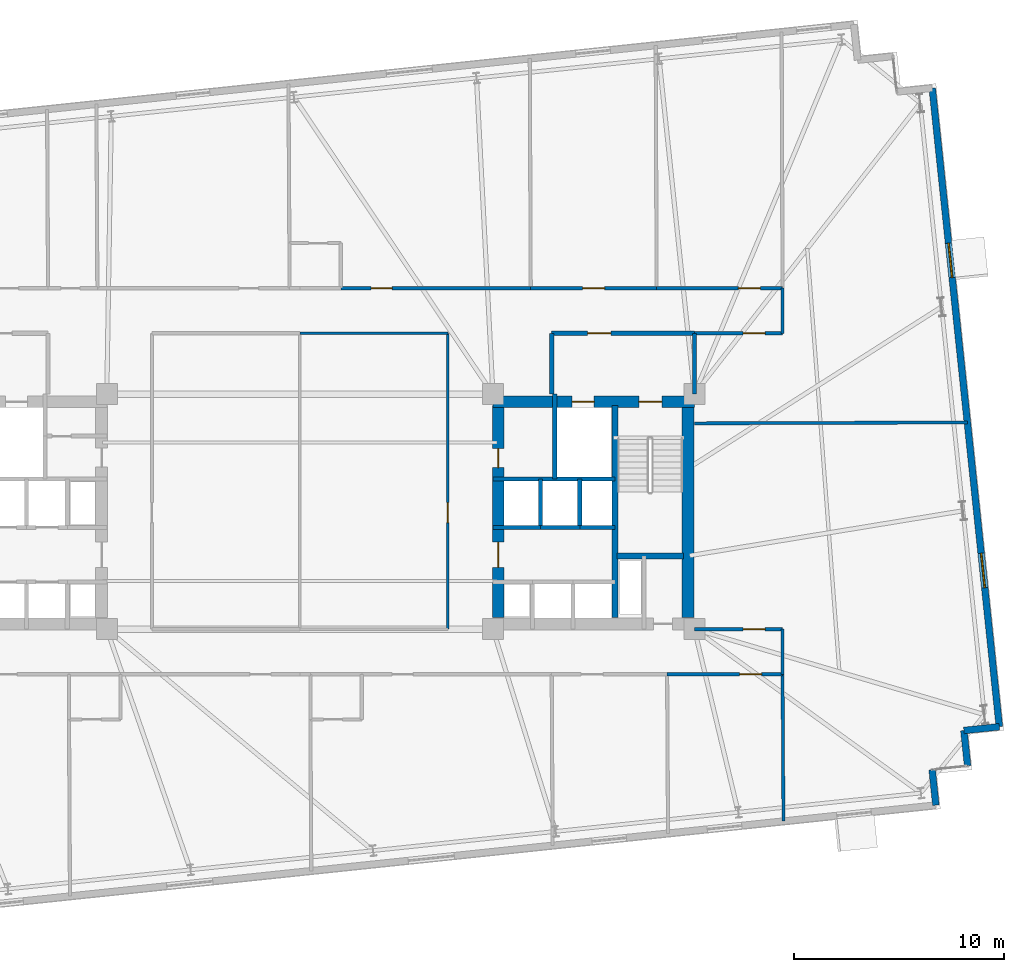
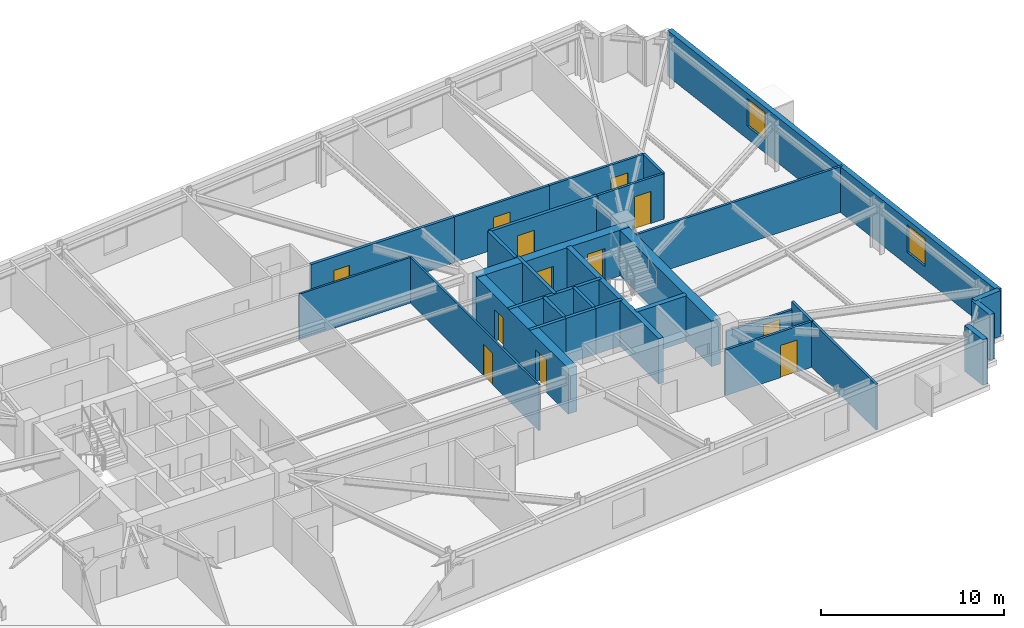
# One storey, part 14 of 17: 31 walls, 12 doors, 2 windows, 14 openings.
"""IFC4 building model written with IfcOpenShell, lengths in metres."""

from ifc_helpers import new_model, si_unit, direction, frame, frame_2d, origin, place, context, subcontext, project, spatial, rectangle, extrude, material, layer, layer_set, type_object, element, fill, save


model = new_model("IFC4")

# Units and contexts
model_context = context("Model", 3, precision=1e-05, world=origin(), true_north=direction((0.0, 1.0)))
body_context = subcontext(model_context, "Body", "Model", "MODEL_VIEW")
ifc_project = project(units=[si_unit("LENGTHUNIT", "METRE"), si_unit("AREAUNIT", "SQUARE_METRE"), si_unit("VOLUMEUNIT", "CUBIC_METRE"), si_unit("PLANEANGLEUNIT", "RADIAN"), si_unit("MASSUNIT", "GRAM", prefix="KILO")], contexts=[model_context])

# Site, building, storey
site_placement = place(None, origin())
site = spatial("IfcSite", under=ifc_project, at=site_placement, CompositionType="ELEMENT")
building_placement = place(site_placement, origin())
building = spatial("IfcBuilding", under=site, at=building_placement, Name="Qobustan Lattice House", CompositionType="ELEMENT")
storey_placement = place(building_placement, frame((0.0, 0.0, 105.800048828125)))
storey = spatial("IfcBuildingStorey", under=building, at=storey_placement, Name="L29", CompositionType="ELEMENT", Elevation=105.800048828125)

# Wall, openings, doors
ifc_material_1 = material(Name="Concrete C60/75", Category="concrete")
ifc_layer_1 = layer(ifc_material_1, 0.56005859375)
ifc_layer_set_1 = layer_set([ifc_layer_1], Name="Concrete C60/75")
wall_type_1 = type_object("IfcWallType", Name="WAL-CORE-600", PredefinedType="SHEAR", material=ifc_layer_set_1)
wall_1_placement = place(storey_placement, frame((9.199951171875, 5.239990234375, 0.0), z_axis=(0.0, 0.0, 1.0), x_axis=(1.0, 0.0, 0.0)))
wall_1 = element("IfcWall", 1, at=wall_1_placement, inside=storey, type_object=wall_type_1, Name="L29 split-core shear wall CE-N", PredefinedType="SHEAR", context=body_context, shape_type="SweptSolid", body=[
    extrude(rectangle(XDim=9.60009765625, YDim=0.56005859375, at=frame_2d((4.800048828125, 0.0))), origin(), (0.0, 0.0, 1.0), 3.044921875),
])
opening_1_placement = place(wall_1_placement, frame((6.949951171875, 0.0, 0.0)))
opening_1 = element("IfcOpeningElement", 2, at=opening_1_placement, cuts=wall_1, Name="Opening SD-01", PredefinedType="OPENING", context=body_context, shape_type="SweptSolid", body=[
    extrude(rectangle(XDim=1.10009765625, YDim=2.14990234375, at=frame_2d((0.550048828125, 1.074951171875))), frame((0.0, 0.2900390625, 0.0), z_axis=(0.0, -1.0, 0.0), x_axis=(1.0, 0.0, 0.0)), (0.0, 0.0, 1.0), 0.580078125),
])
opening_2_placement = place(wall_1_placement, frame((3.77490234375, 0.0, 0.0)))
opening_2 = element("IfcOpeningElement", 3, at=opening_2_placement, cuts=wall_1, Name="Opening LD-01", PredefinedType="OPENING", context=body_context, shape_type="SweptSolid", body=[
    extrude(rectangle(XDim=1.050048828125, YDim=2.10009765625, at=frame_2d((0.52490234375, 1.050048828125))), frame((0.0, 0.2900390625, 0.0), z_axis=(0.0, -1.0, 0.0), x_axis=(1.0, 0.0, 0.0)), (0.0, 0.0, 1.0), 0.580078125),
])
ifc_material_2 = material(Name="Persian walnut timber and steel frame door", Category="steel")
door_type_1 = type_object("IfcDoorType", Name="DOR-LIFT-LD-1050x2100", OperationType="NOTDEFINED", PredefinedType="DOOR", material=ifc_material_2)
door_1_placement = place(opening_2_placement, origin())
door_1 = element("IfcDoor", 4, at=door_1_placement, inside=storey, type_object=door_type_1, Name="L29 firefighting lift FF-E landing door", OperationType="DOUBLE_DOOR_SLIDING", OverallHeight=2.10009765625, OverallWidth=1.050048828125, PredefinedType="DOOR", context=body_context, shape_type="SweptSolid", body=[
    extrude(rectangle(XDim=1.050048828125, YDim=2.10009765625, at=frame_2d((0.52490234375, 1.050048828125))), frame((0.0, 0.02490234375, 0.0), z_axis=(0.0, -1.0, 0.0), x_axis=(1.0, 0.0, 0.0)), (0.0, 0.0, 1.0), 0.050048828125),
])
fill(opening_2, door_1)
ifc_material_3 = material(Name="Persian walnut timber and steel frame door", Category="steel")
door_type_2 = type_object("IfcDoorType", Name="DOR-STAIR-FD-1100x2150", OperationType="NOTDEFINED", PredefinedType="DOOR", material=ifc_material_3)
door_2_placement = place(opening_1_placement, origin())
door_2 = element("IfcDoor", 5, at=door_2_placement, inside=storey, type_object=door_type_2, Name="L29 exit stair ST-E1 fire door", OperationType="SINGLE_SWING_RIGHT", OverallHeight=2.14990234375, OverallWidth=1.10009765625, PredefinedType="DOOR", context=body_context, shape_type="SweptSolid", body=[
    extrude(rectangle(XDim=1.10009765625, YDim=2.14990234375, at=frame_2d((0.550048828125, 1.074951171875))), frame((0.0, 0.02490234375, 0.0), z_axis=(0.0, -1.0, 0.0), x_axis=(1.0, 0.0, 0.0)), (0.0, 0.0, 1.0), 0.050048828125),
])
fill(opening_1, door_2)

wall_2_placement = place(storey_placement, frame((9.449951171875, -5.050048828125, 0.0), z_axis=(0.0, 0.0, 1.0), x_axis=(0.0, 1.0, 0.0)))
wall_2 = element("IfcWall", 6, at=wall_2_placement, inside=storey, type_object=wall_type_1, Name="L29 split-core shear wall CE-W", PredefinedType="SHEAR", context=body_context, shape_type="SweptSolid", body=[
    extrude(rectangle(XDim=10.10009765625, YDim=0.56005859375, at=frame_2d((5.050048828125, 0.0))), origin(), (0.0, 0.0, 1.0), 3.044921875),
])
opening_3_placement = place(wall_2_placement, frame((7.14990234375, 0.0, 0.0)))
opening_3 = element("IfcOpeningElement", 7, at=opening_3_placement, cuts=wall_2, Name="Opening RD-01", PredefinedType="OPENING", context=body_context, shape_type="SweptSolid", body=[
    extrude(rectangle(XDim=0.89990234375, YDim=2.10009765625, at=frame_2d((0.449951171875, 1.050048828125))), frame((0.0, 0.2900390625, 0.0), z_axis=(0.0, -1.0, 0.0), x_axis=(1.0, 0.0, 0.0)), (0.0, 0.0, 1.0), 0.580078125),
])
opening_4_placement = place(wall_2_placement, frame((2.39990234375, 0.0, 0.0)))
opening_4 = element("IfcOpeningElement", 8, at=opening_4_placement, cuts=wall_2, Name="Opening FD-01", PredefinedType="OPENING", context=body_context, shape_type="SweptSolid", body=[
    extrude(rectangle(XDim=1.199951171875, YDim=2.14990234375, at=frame_2d((0.60009765625, 1.074951171875))), frame((0.0, 0.2900390625, 0.0), z_axis=(0.0, -1.0, 0.0), x_axis=(1.0, 0.0, 0.0)), (0.0, 0.0, 1.0), 0.580078125),
])
ifc_material_4 = material(Name="Persian walnut timber and steel frame door", Category="steel")
door_type_3 = type_object("IfcDoorType", Name="DOR-LOBBY-FD-1200x2150", OperationType="NOTDEFINED", PredefinedType="DOOR", material=ifc_material_4)
door_3_placement = place(opening_4_placement, origin())
door_3 = element("IfcDoor", 9, at=door_3_placement, inside=storey, type_object=door_type_3, Name="L29 East passenger lift lobby fire door", OperationType="SINGLE_SWING_LEFT", OverallHeight=2.14990234375, OverallWidth=1.199951171875, PredefinedType="DOOR", context=body_context, shape_type="SweptSolid", body=[
    extrude(rectangle(XDim=1.199951171875, YDim=2.14990234375, at=frame_2d((0.60009765625, 1.074951171875))), frame((0.0, 0.02490234375, 0.0), z_axis=(0.0, -1.0, 0.0), x_axis=(1.0, 0.0, 0.0)), (0.0, 0.0, 1.0), 0.050048828125),
])
fill(opening_4, door_3)
ifc_material_5 = material(Name="Persian walnut timber and steel frame door", Category="steel")
door_type_4 = type_object("IfcDoorType", Name="DOR-RISER-FD-900x2100", OperationType="NOTDEFINED", PredefinedType="DOOR", material=ifc_material_5)
door_4_placement = place(opening_3_placement, origin())
door_4 = element("IfcDoor", 10, at=door_4_placement, inside=storey, type_object=door_type_4, Name="L29 Housekeeping linen store fire door", OperationType="SINGLE_SWING_RIGHT", OverallHeight=2.10009765625, OverallWidth=0.89990234375, PredefinedType="DOOR", context=body_context, shape_type="SweptSolid", body=[
    extrude(rectangle(XDim=0.89990234375, YDim=2.10009765625, at=frame_2d((0.449951171875, 1.050048828125))), frame((0.0, 0.02490234375, 0.0), z_axis=(0.0, -1.0, 0.0), x_axis=(1.0, 0.0, 0.0)), (0.0, 0.0, 1.0), 0.050048828125),
])
fill(opening_3, door_4)

# Walls
wall_3_placement = place(storey_placement, frame((18.489990234375, -5.050048828125, 0.0), z_axis=(0.0, 0.0, 1.0), x_axis=(0.0, 1.0, 0.0)))
element("IfcWall", 11, at=wall_3_placement, inside=storey, type_object=wall_type_1, Name="L29 split-core shear wall CE-E", PredefinedType="SHEAR", context=body_context, shape_type="SweptSolid", body=[
    extrude(rectangle(XDim=10.10009765625, YDim=0.56005859375, at=frame_2d((5.050048828125, 0.0))), origin(), (0.0, 0.0, 1.0), 3.044921875),
])
ifc_material_6 = material(Name="Concrete C50/60", Category="concrete")
ifc_layer_2 = layer(ifc_material_6, 0.280029296875)
ifc_layer_set_2 = layer_set([ifc_layer_2], Name="Concrete C50/60")
wall_type_2 = type_object("IfcWallType", Name="WAL-CORE-SPINE-280", PredefinedType="SHEAR", material=ifc_layer_set_2)
wall_4_placement = place(storey_placement, frame((15.02001953125, -5.050048828125, 0.0), z_axis=(0.0, 0.0, 1.0), x_axis=(0.0, 1.0, 0.0)))
element("IfcWall", 12, at=wall_4_placement, inside=storey, type_object=wall_type_2, Name="L29 split-core shear wall CE-M", PredefinedType="SHEAR", context=body_context, shape_type="SweptSolid", body=[
    extrude(rectangle(XDim=10.10009765625, YDim=0.300048828125, at=frame_2d((5.050048828125, 0.0))), origin(), (0.0, 0.0, 1.0), 3.044921875),
])
wall_5_placement = place(storey_placement, frame((15.10009765625, -2.110107421875, 0.0), z_axis=(0.0, 0.0, 1.0), x_axis=(1.0, 0.0, 0.0)))
element("IfcWall", 13, at=wall_5_placement, inside=storey, type_object=wall_type_2, Name="L29 split-core shear wall CE-ST", PredefinedType="SHEAR", context=body_context, shape_type="SweptSolid", body=[
    extrude(rectangle(XDim=3.179931640625, YDim=0.300048828125, at=frame_2d((1.58984375, 0.0))), origin(), (0.0, 0.0, 1.0), 3.044921875),
])

# Wall, openings, windows
ifc_material_7 = material(Name="Precast concrete C40/50", Category="concrete")
ifc_layer_3 = layer(ifc_material_7, 0.320068359375)
ifc_layer_set_3 = layer_set([ifc_layer_3], Name="Precast concrete C40/50")
wall_type_3 = type_object("IfcWallType", Name="WAL-EXT-STONE-320", PredefinedType="SOLIDWALL", material=ifc_layer_set_3)
wall_6_placement = place(storey_placement, frame((30.134765625, 20.183349609375, 0.0), z_axis=(0.0, 0.0, 1.0), x_axis=(0.104525716865, -0.994522184023, 0.0)))
wall_6 = element("IfcWall", 14, at=wall_6_placement, inside=storey, type_object=wall_type_3, Name="L29 exterior limestone-clad wall 15", PredefinedType="SOLIDWALL", context=body_context, shape_type="SweptSolid", body=[
    extrude(rectangle(XDim=30.60009765625, YDim=0.320068359375, at=frame_2d((15.300048828125, 0.0))), origin(), (0.0, 0.0, 1.0), 3.044921875),
])
opening_5_placement = place(wall_6_placement, frame((7.42578125, 0.0, 0.85009765625)))
opening_5 = element("IfcOpeningElement", 15, at=opening_5_placement, cuts=wall_6, Name="Opening WN-09", PredefinedType="OPENING", context=body_context, shape_type="SweptSolid", body=[
    extrude(rectangle(XDim=1.64990234375, YDim=1.85009765625, at=frame_2d((0.824951171875, 0.925048828125))), frame((0.0, 0.169921875, 0.0), z_axis=(0.0, -1.0, 0.0), x_axis=(1.0, 0.0, 0.0)), (0.0, 0.0, 1.0), 0.340087890625),
])
opening_6_placement = place(wall_6_placement, frame((22.28515625, 0.0, 0.85009765625)))
opening_6 = element("IfcOpeningElement", 16, at=opening_6_placement, cuts=wall_6, Name="Opening WN-09", PredefinedType="OPENING", context=body_context, shape_type="SweptSolid", body=[
    extrude(rectangle(XDim=1.64990234375, YDim=1.85009765625, at=frame_2d((0.824951171875, 0.925048828125))), frame((0.0, 0.169921875, 0.0), z_axis=(0.0, -1.0, 0.0), x_axis=(1.0, 0.0, 0.0)), (0.0, 0.0, 1.0), 0.340087890625),
])
ifc_material_8 = material(Name="Double-glazed low-E aluminium window", Category="aluminium")
window_type = type_object("IfcWindowType", Name="WIN-STU-1650x1850", PartitioningType="SINGLE_PANEL", PredefinedType="WINDOW", material=ifc_material_8)
window_1_placement = place(opening_5_placement, origin())
window_1 = element("IfcWindow", 17, at=window_1_placement, inside=storey, type_object=window_type, Name="L29 Collaborative tutorial room window", OverallHeight=1.85009765625, OverallWidth=1.64990234375, PartitioningType="SINGLE_PANEL", PredefinedType="WINDOW", context=body_context, shape_type="SweptSolid", body=[
    extrude(rectangle(XDim=1.64990234375, YDim=1.85009765625, at=frame_2d((0.824951171875, 0.925048828125))), frame((0.0, 0.030029296875, 0.0), z_axis=(0.0, -1.0, 0.0), x_axis=(1.0, 0.0, 0.0)), (0.0, 0.0, 1.0), 0.06005859375),
])
fill(opening_5, window_1)
window_2_placement = place(opening_6_placement, origin())
window_2 = element("IfcWindow", 18, at=window_2_placement, inside=storey, type_object=window_type, Name="L29 Fellows reading room window", OverallHeight=1.85009765625, OverallWidth=1.64990234375, PartitioningType="SINGLE_PANEL", PredefinedType="WINDOW", context=body_context, shape_type="SweptSolid", body=[
    extrude(rectangle(XDim=1.64990234375, YDim=1.85009765625, at=frame_2d((0.824951171875, 0.925048828125))), frame((0.0, 0.030029296875, 0.0), z_axis=(0.0, -1.0, 0.0), x_axis=(1.0, 0.0, 0.0)), (0.0, 0.0, 1.0), 0.06005859375),
])
fill(opening_6, window_2)

# Walls
for number, where, z_axis, x_axis, name in (
    (19, (33.333251953125, -10.2490234375, 0.0), (0.0, 0.0, 1.0), (-0.994519608382, -0.104550220202, 0.0), "L29 exterior limestone-clad wall 16"),
    (20, (31.642578125, -10.4267578125, 0.0), (0.0, 0.0, 1.0), (0.104550220202, -0.994519608382, 0.0), "L29 exterior limestone-clad wall 17"),
):
    element("IfcWall", number, at=place(storey_placement, frame(where, z_axis=z_axis, x_axis=x_axis)), inside=storey, type_object=wall_type_3, Name=name, PredefinedType="SOLIDWALL", context=body_context, shape_type="SweptSolid", body=[
        extrude(rectangle(XDim=1.699951171875, YDim=0.320068359375, at=frame_2d((0.85009765625, 0.0))), origin(), (0.0, 0.0, 1.0), 3.044921875),
    ])
wall_7_placement = place(storey_placement, frame((30.129638671875, -12.295166015625, 0.0), z_axis=(0.0, 0.0, 1.0), x_axis=(0.104565154801, -0.994518038248, 0.0)))
element("IfcWall", 21, at=wall_7_placement, inside=storey, type_object=wall_type_3, Name="L29 exterior limestone-clad wall 19", PredefinedType="SOLIDWALL", context=body_context, shape_type="SweptSolid", body=[
    extrude(rectangle(XDim=1.69970703125, YDim=0.320068359375, at=frame_2d((0.849853515625, 0.0))), origin(), (0.0, 0.0, 1.0), 3.044921875),
])

# Wall, opening, door
ifc_material_9 = material(Name="Gypsum fireboard acoustic partition", Category="gypsum")
ifc_layer_4 = layer(ifc_material_9, 0.179931640625)
ifc_layer_set_4 = layer_set([ifc_layer_4], Name="Gypsum fireboard acoustic partition")
wall_type_4 = type_object("IfcWallType", Name="WAL-FIRE-180", PredefinedType="PARTITIONING", material=ifc_layer_set_4)
wall_8_placement = place(storey_placement, frame((1.949951171875, 10.64990234375, 0.0), z_axis=(0.0, 0.0, 1.0), x_axis=(1.0, 0.0, 0.0)))
wall_8 = element("IfcWall", 22, at=wall_8_placement, inside=storey, type_object=wall_type_4, Name="L29 interior partition 47", PredefinedType="PARTITIONING", context=body_context, shape_type="SweptSolid", body=[
    extrude(rectangle(XDim=9.050048828125, YDim=0.179931640625, at=frame_2d((4.52490234375, 0.0))), origin(), (0.0, 0.0, 1.0), 3.044921875),
])
opening_7_placement = place(wall_8_placement, frame((1.44140625, 0.0, 0.0)))
opening_7 = element("IfcOpeningElement", 23, at=opening_7_placement, cuts=wall_8, Name="Opening FD-02", PredefinedType="OPENING", context=body_context, shape_type="SweptSolid", body=[
    extrude(rectangle(XDim=1.0, YDim=2.14990234375, at=frame_2d((0.5, 1.074951171875))), frame((0.0, 0.099853515625, 0.0), z_axis=(0.0, -1.0, 0.0), x_axis=(1.0, 0.0, 0.0)), (0.0, 0.0, 1.0), 0.199951171875),
])
ifc_material_10 = material(Name="Persian walnut timber and steel frame door", Category="steel")
door_type_5 = type_object("IfcDoorType", Name="DOR-UNIT-FD-1000x2150", OperationType="NOTDEFINED", PredefinedType="DOOR", material=ifc_material_10)
door_5_placement = place(opening_7_placement, origin())
door_5 = element("IfcDoor", 24, at=door_5_placement, inside=storey, type_object=door_type_5, Name="L29 North-east floor corridor to Kitchenette and studio apartment L29-N3 door", OperationType="SINGLE_SWING_RIGHT", OverallHeight=2.14990234375, OverallWidth=1.0, PredefinedType="DOOR", context=body_context, shape_type="SweptSolid", body=[
    extrude(rectangle(XDim=1.0, YDim=2.14990234375, at=frame_2d((0.5, 1.074951171875))), frame((0.0, 0.02490234375, 0.0), z_axis=(0.0, -1.0, 0.0), x_axis=(1.0, 0.0, 0.0)), (0.0, 0.0, 1.0), 0.050048828125),
])
fill(opening_7, door_5)

# Wall
ifc_material_11 = material(Name="Lightweight acoustic stud partition", Category="gypsum")
ifc_layer_5 = layer(ifc_material_11, 0.125)
ifc_layer_set_5 = layer_set([ifc_layer_5], Name="Lightweight acoustic stud partition")
wall_type_5 = type_object("IfcWallType", Name="WAL-PART-125", PredefinedType="PARTITIONING", material=ifc_layer_set_5)
wall_9_placement = place(storey_placement, frame((7.050048828125, 8.5, 0.0), z_axis=(0.0, 0.0, 1.0), x_axis=(-1.0, 0.0, 0.0)))
element("IfcWall", 25, at=wall_9_placement, inside=storey, type_object=wall_type_5, Name="L29 interior partition 51", PredefinedType="PARTITIONING", context=body_context, shape_type="SweptSolid", body=[
    extrude(rectangle(XDim=7.050048828125, YDim=0.125, at=frame_2d((3.52490234375, 0.0))), origin(), (0.0, 0.0, 1.0), 3.044921875),
])

# Wall, opening, door
wall_10_placement = place(storey_placement, frame((7.050048828125, -5.60009765625, 0.0), z_axis=(0.0, 0.0, 1.0), x_axis=(0.0, 1.0, 0.0)))
wall_10 = element("IfcWall", 26, at=wall_10_placement, inside=storey, type_object=wall_type_5, Name="L29 interior partition 68", PredefinedType="PARTITIONING", context=body_context, shape_type="SweptSolid", body=[
    extrude(rectangle(XDim=14.10009765625, YDim=0.125, at=frame_2d((7.050048828125, 0.0))), origin(), (0.0, 0.0, 1.0), 3.044921875),
])
opening_8_placement = place(wall_10_placement, frame((5.076171875, 0.0, 0.0)))
opening_8 = element("IfcOpeningElement", 27, at=opening_8_placement, cuts=wall_10, Name="Opening ID-01", PredefinedType="OPENING", context=body_context, shape_type="SweptSolid", body=[
    extrude(rectangle(XDim=0.949951171875, YDim=2.10009765625, at=frame_2d((0.47509765625, 1.050048828125))), frame((0.0, 0.072509765625, 0.0), z_axis=(0.0, -1.0, 0.0), x_axis=(1.0, 0.0, 0.0)), (0.0, 0.0, 1.0), 0.14501953125),
])
ifc_material_12 = material(Name="Persian walnut timber and steel frame door", Category="steel")
door_type_6 = type_object("IfcDoorType", Name="DOR-ROOM-950x2100", OperationType="NOTDEFINED", PredefinedType="DOOR", material=ifc_material_12)
door_6_placement = place(opening_8_placement, origin())
door_6 = element("IfcDoor", 28, at=door_6_placement, inside=storey, type_object=door_type_6, Name="L29 East floor link corridor to Focus pod suite door", OperationType="SINGLE_SWING_RIGHT", OverallHeight=2.10009765625, OverallWidth=0.949951171875, PredefinedType="DOOR", context=body_context, shape_type="SweptSolid", body=[
    extrude(rectangle(XDim=0.949951171875, YDim=2.10009765625, at=frame_2d((0.47509765625, 1.050048828125))), frame((0.0, 0.02490234375, 0.0), z_axis=(0.0, -1.0, 0.0), x_axis=(1.0, 0.0, 0.0)), (0.0, 0.0, 1.0), 0.050048828125),
])
fill(opening_8, door_6)

ifc_material_13 = material(Name="Acoustic twin-stud gypsum partition", Category="gypsum")
ifc_layer_6 = layer(ifc_material_13, 0.14990234375)
ifc_layer_set_6 = layer_set([ifc_layer_6], Name="Acoustic twin-stud gypsum partition")
wall_type_6 = type_object("IfcWallType", Name="WAL-PART-150", PredefinedType="PARTITIONING", material=ifc_layer_set_6)
wall_11_placement = place(storey_placement, frame((23.0, 8.5, 0.0), z_axis=(0.0, 0.0, 1.0), x_axis=(-1.0, 0.0, 0.0)))
wall_11 = element("IfcWall", 29, at=wall_11_placement, inside=storey, type_object=wall_type_6, Name="L29 interior partition 45", PredefinedType="PARTITIONING", context=body_context, shape_type="SweptSolid", body=[
    extrude(rectangle(XDim=4.199951171875, YDim=0.14990234375, at=frame_2d((2.10009765625, 0.0))), origin(), (0.0, 0.0, 1.0), 3.044921875),
])
opening_9_placement = place(wall_11_placement, frame((0.82861328125, 0.0, 0.0)))
opening_9 = element("IfcOpeningElement", 30, at=opening_9_placement, cuts=wall_11, Name="Opening ID-02", PredefinedType="OPENING", context=body_context, shape_type="SweptSolid", body=[
    extrude(rectangle(XDim=1.050048828125, YDim=2.14990234375, at=frame_2d((0.52490234375, 1.074951171875))), frame((0.0, 0.0849609375, 0.0), z_axis=(0.0, -1.0, 0.0), x_axis=(1.0, 0.0, 0.0)), (0.0, 0.0, 1.0), 0.169921875),
])
ifc_material_14 = material(Name="Persian walnut timber and steel frame door", Category="steel")
door_type_7 = type_object("IfcDoorType", Name="DOR-STUDY-1050x2150", OperationType="NOTDEFINED", PredefinedType="DOOR", material=ifc_material_14)
door_7_placement = place(opening_9_placement, origin())
door_7 = element("IfcDoor", 31, at=door_7_placement, inside=storey, type_object=door_type_7, Name="L29 North-east floor corridor to Collaborative tutorial room door", OperationType="SINGLE_SWING_LEFT", OverallHeight=2.14990234375, OverallWidth=1.050048828125, PredefinedType="DOOR", context=body_context, shape_type="SweptSolid", body=[
    extrude(rectangle(XDim=1.050048828125, YDim=2.14990234375, at=frame_2d((0.52490234375, 1.074951171875))), frame((0.0, 0.02490234375, 0.0), z_axis=(0.0, -1.0, 0.0), x_axis=(1.0, 0.0, 0.0)), (0.0, 0.0, 1.0), 0.050048828125),
])
fill(opening_9, door_7)

# Wall
wall_12_placement = place(storey_placement, frame((23.0, 10.64990234375, 0.0), z_axis=(0.0, 0.0, 1.0), x_axis=(0.0, -1.0, 0.0)))
element("IfcWall", 32, at=wall_12_placement, inside=storey, type_object=wall_type_6, Name="L29 interior partition 46", PredefinedType="PARTITIONING", context=body_context, shape_type="SweptSolid", body=[
    extrude(rectangle(XDim=2.14990234375, YDim=0.14990234375, at=frame_2d((1.074951171875, 0.0))), origin(), (0.0, 0.0, 1.0), 3.044921875),
])

# Wall, opening, door
wall_13_placement = place(storey_placement, frame((11.0, 10.64990234375, 0.0), z_axis=(0.0, 0.0, 1.0), x_axis=(1.0, 0.0, 0.0)))
wall_13 = element("IfcWall", 33, at=wall_13_placement, inside=storey, type_object=wall_type_6, Name="L29 interior partition 49", PredefinedType="PARTITIONING", context=body_context, shape_type="SweptSolid", body=[
    extrude(rectangle(XDim=6.0, YDim=0.14990234375, at=frame_2d((3.0, 0.0))), origin(), (0.0, 0.0, 1.0), 3.044921875),
])
opening_10_placement = place(wall_13_placement, frame((2.47509765625, 0.0, 0.0)))
opening_10 = element("IfcOpeningElement", 34, at=opening_10_placement, cuts=wall_13, Name="Opening ID-02", PredefinedType="OPENING", context=body_context, shape_type="SweptSolid", body=[
    extrude(rectangle(XDim=1.050048828125, YDim=2.14990234375, at=frame_2d((0.52490234375, 1.074951171875))), frame((0.0, 0.0849609375, 0.0), z_axis=(0.0, -1.0, 0.0), x_axis=(1.0, 0.0, 0.0)), (0.0, 0.0, 1.0), 0.169921875),
])
door_8_placement = place(opening_10_placement, origin())
door_8 = element("IfcDoor", 35, at=door_8_placement, inside=storey, type_object=door_type_7, Name="L29 North-east floor corridor to Focus study room N4A door", OperationType="SINGLE_SWING_LEFT", OverallHeight=2.14990234375, OverallWidth=1.050048828125, PredefinedType="DOOR", context=body_context, shape_type="SweptSolid", body=[
    extrude(rectangle(XDim=1.050048828125, YDim=2.14990234375, at=frame_2d((0.52490234375, 1.074951171875))), frame((0.0, 0.02490234375, 0.0), z_axis=(0.0, -1.0, 0.0), x_axis=(1.0, 0.0, 0.0)), (0.0, 0.0, 1.0), 0.050048828125),
])
fill(opening_10, door_8)

wall_14_placement = place(storey_placement, frame((17.0, 10.64990234375, 0.0), z_axis=(0.0, 0.0, 1.0), x_axis=(1.0, 0.0, 0.0)))
wall_14 = element("IfcWall", 36, at=wall_14_placement, inside=storey, type_object=wall_type_6, Name="L29 interior partition 50", PredefinedType="PARTITIONING", context=body_context, shape_type="SweptSolid", body=[
    extrude(rectangle(XDim=6.0, YDim=0.14990234375, at=frame_2d((3.0, 0.0))), origin(), (0.0, 0.0, 1.0), 3.044921875),
])
opening_11_placement = place(wall_14_placement, frame((3.896240234375, 0.0, 0.0)))
opening_11 = element("IfcOpeningElement", 37, at=opening_11_placement, cuts=wall_14, Name="Opening ID-02", PredefinedType="OPENING", context=body_context, shape_type="SweptSolid", body=[
    extrude(rectangle(XDim=1.050048828125, YDim=2.14990234375, at=frame_2d((0.52490234375, 1.074951171875))), frame((0.0, 0.0849609375, 0.0), z_axis=(0.0, -1.0, 0.0), x_axis=(1.0, 0.0, 0.0)), (0.0, 0.0, 1.0), 0.169921875),
])
door_9_placement = place(opening_11_placement, origin())
door_9 = element("IfcDoor", 38, at=door_9_placement, inside=storey, type_object=door_type_7, Name="L29 North-east floor corridor to Focus study room N4B door", OperationType="SINGLE_SWING_RIGHT", OverallHeight=2.14990234375, OverallWidth=1.050048828125, PredefinedType="DOOR", context=body_context, shape_type="SweptSolid", body=[
    extrude(rectangle(XDim=1.050048828125, YDim=2.14990234375, at=frame_2d((0.52490234375, 1.074951171875))), frame((0.0, 0.02490234375, 0.0), z_axis=(0.0, -1.0, 0.0), x_axis=(1.0, 0.0, 0.0)), (0.0, 0.0, 1.0), 0.050048828125),
])
fill(opening_11, door_9)

wall_15_placement = place(storey_placement, frame((18.800048828125, -5.60009765625, 0.0), z_axis=(0.0, 0.0, 1.0), x_axis=(1.0, 0.0, 0.0)))
wall_15 = element("IfcWall", 39, at=wall_15_placement, inside=storey, type_object=wall_type_6, Name="L29 interior partition 59", PredefinedType="PARTITIONING", context=body_context, shape_type="SweptSolid", body=[
    extrude(rectangle(XDim=4.199951171875, YDim=0.14990234375, at=frame_2d((2.10009765625, 0.0))), origin(), (0.0, 0.0, 1.0), 2.530029296875),
])
opening_12_placement = place(wall_15_placement, frame((2.3212890625, 0.0, 0.0)))
opening_12 = element("IfcOpeningElement", 40, at=opening_12_placement, cuts=wall_15, Name="Opening ID-02", PredefinedType="OPENING", context=body_context, shape_type="SweptSolid", body=[
    extrude(rectangle(XDim=1.050048828125, YDim=2.14990234375, at=frame_2d((0.52490234375, 1.074951171875))), frame((0.0, 0.0849609375, 0.0), z_axis=(0.0, -1.0, 0.0), x_axis=(1.0, 0.0, 0.0)), (0.0, 0.0, 1.0), 0.169921875),
])
door_10_placement = place(opening_12_placement, origin())
door_10 = element("IfcDoor", 41, at=door_10_placement, inside=storey, type_object=door_type_7, Name="L29 South-east floor corridor to Fellows reading room door", OperationType="SINGLE_SWING_LEFT", OverallHeight=2.14990234375, OverallWidth=1.050048828125, PredefinedType="DOOR", context=body_context, shape_type="SweptSolid", body=[
    extrude(rectangle(XDim=1.050048828125, YDim=2.14990234375, at=frame_2d((0.52490234375, 1.074951171875))), frame((0.0, 0.02490234375, 0.0), z_axis=(0.0, -1.0, 0.0), x_axis=(1.0, 0.0, 0.0)), (0.0, 0.0, 1.0), 0.050048828125),
])
fill(opening_12, door_10)

# Wall
wall_16_placement = place(storey_placement, frame((23.0, -5.60009765625, 0.0), z_axis=(0.0, 0.0, 1.0), x_axis=(0.0, -1.0, 0.0)))
element("IfcWall", 42, at=wall_16_placement, inside=storey, type_object=wall_type_6, Name="L29 interior partition 60", PredefinedType="PARTITIONING", context=body_context, shape_type="SweptSolid", body=[
    extrude(rectangle(XDim=2.14990234375, YDim=0.14990234375, at=frame_2d((1.074951171875, 0.0))), origin(), (0.0, 0.0, 1.0), 3.044921875),
])

# Wall, opening, door
wall_17_placement = place(storey_placement, frame((23.0, -7.75, 0.0), z_axis=(0.0, 0.0, 1.0), x_axis=(-1.0, 0.0, 0.0)))
wall_17 = element("IfcWall", 43, at=wall_17_placement, inside=storey, type_object=wall_type_6, Name="L29 interior partition 65", PredefinedType="PARTITIONING", context=body_context, shape_type="SweptSolid", body=[
    extrude(rectangle(XDim=5.5, YDim=0.14990234375, at=frame_2d((2.75, 0.0))), origin(), (0.0, 0.0, 1.0), 3.044921875),
])
opening_13_placement = place(wall_17_placement, frame((0.9912109375, 0.0, 0.0)))
opening_13 = element("IfcOpeningElement", 44, at=opening_13_placement, cuts=wall_17, Name="Opening ID-02", PredefinedType="OPENING", context=body_context, shape_type="SweptSolid", body=[
    extrude(rectangle(XDim=1.050048828125, YDim=2.14990234375, at=frame_2d((0.52490234375, 1.074951171875))), frame((0.0, 0.0849609375, 0.0), z_axis=(0.0, -1.0, 0.0), x_axis=(1.0, 0.0, 0.0)), (0.0, 0.0, 1.0), 0.169921875),
])
door_11_placement = place(opening_13_placement, origin())
door_11 = element("IfcDoor", 45, at=door_11_placement, inside=storey, type_object=door_type_7, Name="L29 South-east floor corridor to Academic seminar room door", OperationType="SINGLE_SWING_RIGHT", OverallHeight=2.14990234375, OverallWidth=1.050048828125, PredefinedType="DOOR", context=body_context, shape_type="SweptSolid", body=[
    extrude(rectangle(XDim=1.050048828125, YDim=2.14990234375, at=frame_2d((0.52490234375, 1.074951171875))), frame((0.0, 0.02490234375, 0.0), z_axis=(0.0, -1.0, 0.0), x_axis=(1.0, 0.0, 0.0)), (0.0, 0.0, 1.0), 0.050048828125),
])
fill(opening_13, door_11)

# Walls
wall_18_placement = place(storey_placement, frame((18.800048828125, 4.208251953125, 0.0), z_axis=(0.0, 0.0, 1.0), x_axis=(0.9999942944, 0.003378042094, 0.0)))
element("IfcWall", 46, at=wall_18_placement, inside=storey, type_object=wall_type_6, Name="L29 interior partition 72", PredefinedType="PARTITIONING", context=body_context, shape_type="SweptSolid", body=[
    extrude(rectangle(XDim=13.009033203125, YDim=0.14990234375, at=frame_2d((6.50439453125, 0.0))), origin(), (0.0, 0.0, 1.0), 3.044921875),
])
wall_19_placement = place(storey_placement, frame((23.0439453125, -14.7490234375, 0.0), z_axis=(0.0, 0.0, 1.0), x_axis=(-0.006278653971, 0.999980289058, 0.0)))
element("IfcWall", 47, at=wall_19_placement, inside=storey, type_object=wall_type_6, Name="L29 interior partition 73", PredefinedType="PARTITIONING", context=body_context, shape_type="SweptSolid", body=[
    extrude(rectangle(XDim=6.999267578125, YDim=0.14990234375, at=frame_2d((3.49951171875, 0.0))), origin(), (0.0, 0.0, 1.0), 3.044921875),
])

# Wall, opening, door
ifc_material_15 = material(Name="Two-hour gypsum fireboard acoustic partition", Category="gypsum")
ifc_layer_7 = layer(ifc_material_15, 0.199951171875)
ifc_layer_set_7 = layer_set([ifc_layer_7], Name="Two-hour gypsum fireboard acoustic partition")
wall_type_7 = type_object("IfcWallType", Name="WAL-PROT-200", PredefinedType="PARTITIONING", material=ifc_layer_set_7)
wall_20_placement = place(storey_placement, frame((18.800048828125, 8.5, 0.0), z_axis=(0.0, 0.0, 1.0), x_axis=(-1.0, 0.0, 0.0)))
wall_20 = element("IfcWall", 48, at=wall_20_placement, inside=storey, type_object=wall_type_7, Name="L29 interior partition 22", PredefinedType="PARTITIONING", context=body_context, shape_type="SweptSolid", body=[
    extrude(rectangle(XDim=6.800048828125, YDim=0.199951171875, at=frame_2d((3.39990234375, 0.0))), origin(), (0.0, 0.0, 1.0), 3.044921875),
])
opening_14_placement = place(wall_20_placement, frame((3.985107421875, 0.0, 0.0)))
opening_14 = element("IfcOpeningElement", 49, at=opening_14_placement, cuts=wall_20, Name="Opening SD-01", PredefinedType="OPENING", context=body_context, shape_type="SweptSolid", body=[
    extrude(rectangle(XDim=1.10009765625, YDim=2.14990234375, at=frame_2d((0.550048828125, 1.074951171875))), frame((0.0, 0.10986328125, 0.0), z_axis=(0.0, -1.0, 0.0), x_axis=(1.0, 0.0, 0.0)), (0.0, 0.0, 1.0), 0.219970703125),
])
door_12_placement = place(opening_14_placement, origin())
door_12 = element("IfcDoor", 50, at=door_12_placement, inside=storey, type_object=door_type_2, Name="L29 East firefighting lift lobby to North-east floor corridor door", OperationType="SINGLE_SWING_LEFT", OverallHeight=2.14990234375, OverallWidth=1.10009765625, PredefinedType="DOOR", context=body_context, shape_type="SweptSolid", body=[
    extrude(rectangle(XDim=1.10009765625, YDim=2.14990234375, at=frame_2d((0.550048828125, 1.074951171875))), frame((0.0, 0.02490234375, 0.0), z_axis=(0.0, -1.0, 0.0), x_axis=(1.0, 0.0, 0.0)), (0.0, 0.0, 1.0), 0.050048828125),
])
fill(opening_14, door_12)

# Walls
wall_21_placement = place(storey_placement, frame((12.0, 8.5, 0.0), z_axis=(0.0, 0.0, 1.0), x_axis=(0.0, -1.0, 0.0)))
element("IfcWall", 51, at=wall_21_placement, inside=storey, type_object=wall_type_7, Name="L29 interior partition 23", PredefinedType="PARTITIONING", context=body_context, shape_type="SweptSolid", body=[
    extrude(rectangle(XDim=2.89990234375, YDim=0.199951171875, at=frame_2d((1.449951171875, 0.0))), origin(), (0.0, 0.0, 1.0), 3.044921875),
])
wall_22_placement = place(storey_placement, frame((18.800048828125, 5.60009765625, 0.0), z_axis=(0.0, 0.0, 1.0), x_axis=(0.0, 1.0, 0.0)))
element("IfcWall", 52, at=wall_22_placement, inside=storey, type_object=wall_type_7, Name="L29 interior partition 24", PredefinedType="PARTITIONING", context=body_context, shape_type="SweptSolid", body=[
    extrude(rectangle(XDim=2.89990234375, YDim=0.199951171875, at=frame_2d((1.449951171875, 0.0))), origin(), (0.0, 0.0, 1.0), 2.530029296875),
])
ifc_material_16 = material(Name="Concrete C40/50", Category="concrete")
ifc_layer_8 = layer(ifc_material_16, 0.199951171875)
ifc_layer_set_8 = layer_set([ifc_layer_8], Name="Concrete C40/50")
wall_type_8 = type_object("IfcWallType", Name="WAL-SHAFT-200", PredefinedType="PARTITIONING", material=ifc_layer_set_8)
wall_23_placement = place(storey_placement, frame((12.14990234375, 5.60009765625, 0.0), z_axis=(0.0, 0.0, 1.0), x_axis=(0.0, -1.0, 0.0)))
element("IfcWall", 53, at=wall_23_placement, inside=storey, type_object=wall_type_8, Name="L29 interior partition 21", PredefinedType="PARTITIONING", context=body_context, shape_type="SweptSolid", body=[
    extrude(rectangle(XDim=4.050048828125, YDim=0.199951171875, at=frame_2d((2.02490234375, 0.0))), origin(), (0.0, 0.0, 1.0), 3.044921875),
])
wall_24_placement = place(storey_placement, frame((11.4599609375, -0.75, 0.0), z_axis=(0.0, 0.0, 1.0), x_axis=(-1.0, 0.0, 0.0)))
element("IfcWall", 54, at=wall_24_placement, inside=storey, type_object=wall_type_8, Name="L29 interior partition 29", PredefinedType="PARTITIONING", context=body_context, shape_type="SweptSolid", body=[
    extrude(rectangle(XDim=2.260009765625, YDim=0.199951171875, at=frame_2d((1.1298828125, 0.0))), origin(), (0.0, 0.0, 1.0), 3.044921875),
])
wall_25_placement = place(storey_placement, frame((13.340087890625, -0.75, 0.0), z_axis=(0.0, 0.0, 1.0), x_axis=(-1.0, 0.0, 0.0)))
element("IfcWall", 55, at=wall_25_placement, inside=storey, type_object=wall_type_8, Name="L29 interior partition 30", PredefinedType="PARTITIONING", context=body_context, shape_type="SweptSolid", body=[
    extrude(rectangle(XDim=1.880126953125, YDim=0.199951171875, at=frame_2d((0.93994140625, 0.0))), origin(), (0.0, 0.0, 1.0), 3.044921875),
])
wall_26_placement = place(storey_placement, frame((15.02001953125, -0.75, 0.0), z_axis=(0.0, 0.0, 1.0), x_axis=(-1.0, 0.0, 0.0)))
element("IfcWall", 56, at=wall_26_placement, inside=storey, type_object=wall_type_8, Name="L29 interior partition 31", PredefinedType="PARTITIONING", context=body_context, shape_type="SweptSolid", body=[
    extrude(rectangle(XDim=1.679931640625, YDim=0.199951171875, at=frame_2d((0.83984375, 0.0))), origin(), (0.0, 0.0, 1.0), 3.044921875),
])
for number, where, z_axis, x_axis, name in (
    (57, (11.4599609375, -0.75, 0.0), (0.0, 0.0, 1.0), (0.0, 1.0, 0.0), "L29 interior partition 35"),
    (58, (13.340087890625, -0.75, 0.0), (0.0, 0.0, 1.0), (0.0, 1.0, 0.0), "L29 interior partition 36"),
):
    element("IfcWall", number, at=place(storey_placement, frame(where, z_axis=z_axis, x_axis=x_axis)), inside=storey, type_object=wall_type_8, Name=name, PredefinedType="PARTITIONING", context=body_context, shape_type="SweptSolid", body=[
        extrude(rectangle(XDim=2.300048828125, YDim=0.199951171875, at=frame_2d((1.14990234375, 0.0))), origin(), (0.0, 0.0, 1.0), 3.044921875),
    ])
wall_27_placement = place(storey_placement, frame((9.199951171875, 1.550048828125, 0.0), z_axis=(0.0, 0.0, 1.0), x_axis=(1.0, 0.0, 0.0)))
element("IfcWall", 59, at=wall_27_placement, inside=storey, type_object=wall_type_8, Name="L29 interior partition 97", PredefinedType="PARTITIONING", context=body_context, shape_type="SweptSolid", body=[
    extrude(rectangle(XDim=5.820068359375, YDim=0.199951171875, at=frame_2d((2.91015625, 0.0))), origin(), (0.0, 0.0, 1.0), 3.044921875),
])

save(model, "model.ifc")
